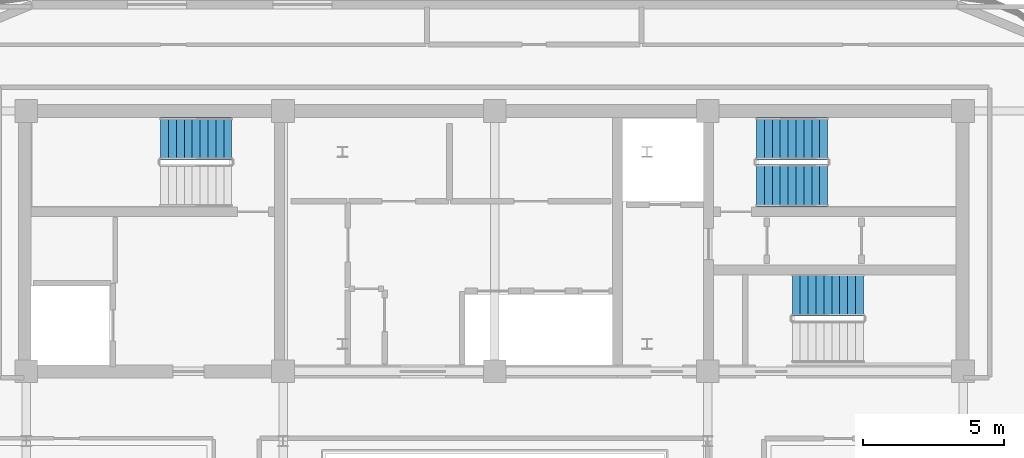
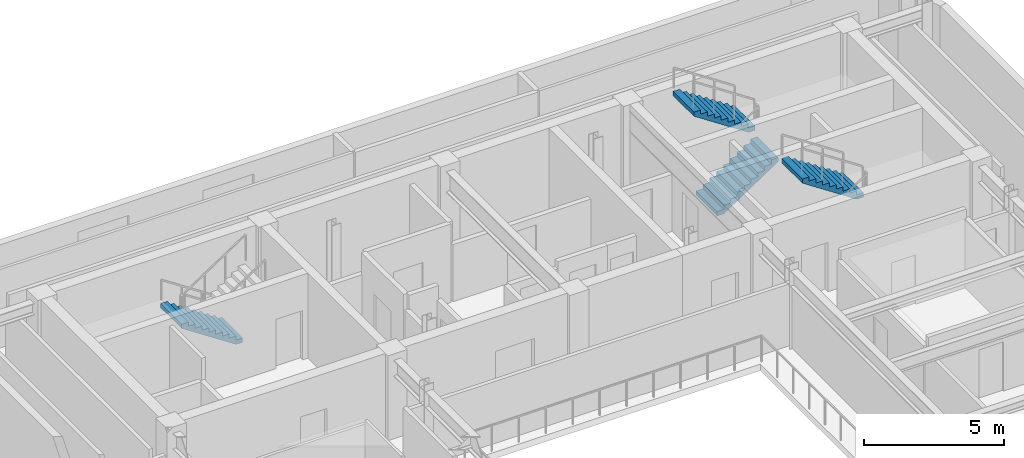
# One storey, part 9 of 12: 4 stair flights, 3 elements without a shape of their own.
"""IFC4 building model written with IfcOpenShell, lengths in metres."""

import ifcopenshell
import ifcopenshell.guid

model = None  # the IFC model being written
_history = None  # IfcOwnerHistory: only IFC2X3 demands one
_inside = {}  # id of a spatial element -> (the spatial element, [elements in it])
_under = {}  # id of a project, library or spatial element -> (it, [spatial elements below it])
_declared = {}  # id of a project -> (the project, [libraries it declares])
_typed = {}  # id of a type object -> (the type object, [elements of that type])
_made_of = {}  # id of a material, layer set ... -> (it, [elements and type objects made of it])


def new_model(schema):
    """Start an empty IFC model of exactly this schema.

    Asked for "IFC4X3", IfcOpenShell would pick the latest addendum, in which some entities
    have other attributes; the version numbers below select the first issue.
    IFC2X3 requires an IfcOwnerHistory on every rooted entity: one is made here for all.
    """
    global model, _history
    if schema == "IFC4X3":
        model = ifcopenshell.file(schema_version=(4, 3, 0, 0))
    else:
        model = ifcopenshell.file(schema=schema)
    _inside.clear()
    _under.clear()
    _declared.clear()
    _typed.clear()
    _made_of.clear()
    _history = None
    if model.schema == "IFC2X3":
        org = make("IfcOrganization", Name="unknown")
        user = make(
            "IfcPersonAndOrganization",
            ThePerson=make("IfcPerson", FamilyName="unknown"),
            TheOrganization=org,
        )
        app = make(
            "IfcApplication",
            ApplicationDeveloper=org,
            Version="unknown",
            ApplicationFullName="unknown",
            ApplicationIdentifier="unknown",
        )
        _history = make(
            "IfcOwnerHistory",
            OwningUser=user,
            OwningApplication=app,
            ChangeAction="ADDED",
            CreationDate=0,
        )
    return model


def make(cls, **values):
    """One entity of the class cls with the attributes given. An attribute that is None is left unset."""
    return model.create_entity(
        cls, **{name: value for name, value in values.items() if value is not None}
    )


def rooted(cls, **values):
    """An entity with a GlobalId (a new one), such as an element, a storey or a relation."""
    return make(cls, GlobalId=ifcopenshell.guid.new(), OwnerHistory=_history, **values)


def si_unit(unit_type, name, prefix=None):
    """IfcSIUnit, for example si_unit("LENGTHUNIT", "METRE", prefix="MILLI")."""
    return make("IfcSIUnit", UnitType=unit_type, Prefix=prefix, Name=name)


def assignment(units):
    """IfcUnitAssignment: the units of a project."""
    return None if units is None else make("IfcUnitAssignment", Units=units)


def point(xyz):
    """IfcCartesianPoint."""
    return None if xyz is None else make("IfcCartesianPoint", Coordinates=xyz)


def direction(xyz):
    """IfcDirection."""
    return None if xyz is None else make("IfcDirection", DirectionRatios=xyz)


def frame(location, z_axis=None, x_axis=None):
    """IfcAxis2Placement3D, a coordinate frame: its origin and axes. An axis left out is left unset."""
    return make(
        "IfcAxis2Placement3D",
        Location=point(location),
        Axis=direction(z_axis),
        RefDirection=direction(x_axis),
    )


def origin():
    """The frame at (0, 0, 0) with its axes left unset."""
    return frame((0.0, 0.0, 0.0))


def place(relative_to, where):
    """IfcLocalPlacement: puts the frame where relative to a parent placement (None: the world)."""
    return make(
        "IfcLocalPlacement", PlacementRelTo=relative_to, RelativePlacement=where
    )


def context(
    kind, dimensions, precision=None, world=None, true_north=None, identifier=None
):
    """IfcGeometricRepresentationContext, for example the 3D "Model" context."""
    return make(
        "IfcGeometricRepresentationContext",
        ContextIdentifier=identifier,
        ContextType=kind,
        CoordinateSpaceDimension=dimensions,
        Precision=precision,
        WorldCoordinateSystem=world,
        TrueNorth=true_north,
    )


def subcontext(parent, identifier, kind, view, scale=None):
    """IfcGeometricRepresentationSubContext, for example "Body" below "Model"."""
    return make(
        "IfcGeometricRepresentationSubContext",
        ContextIdentifier=identifier,
        ContextType=kind,
        ParentContext=parent,
        TargetScale=scale,
        TargetView=view,
    )


def project(units=None, contexts=None):
    """IfcProject with its units and contexts."""
    return rooted(
        "IfcProject",
        Name="project",
        RepresentationContexts=contexts,
        UnitsInContext=assignment(units),
    )


def spatial(cls, under=None, at=None, **own):
    """A site, building, storey or space (cls), placed at a placement, below another one or the project."""
    s = rooted(cls, ObjectPlacement=at, **own)
    if under is not None:
        _under.setdefault(under.id(), (under, []))[1].append(s)
    return s


def polyline(points):
    """IfcPolyline through the points."""
    return make("IfcPolyline", Points=[point(p) for p in points])


def outline(outer, holes=None, kind="AREA"):
    """IfcArbitraryClosedProfileDef: a profile drawn as a closed curve; with holes, ...WithVoids."""
    if holes is None:
        return make("IfcArbitraryClosedProfileDef", ProfileType=kind, OuterCurve=outer)
    return make(
        "IfcArbitraryProfileDefWithVoids",
        ProfileType=kind,
        OuterCurve=outer,
        InnerCurves=holes,
    )


def extrude(swept, where, along, depth):
    """IfcExtrudedAreaSolid: the profile swept, set in the frame where, extruded along a direction by depth."""
    return make(
        "IfcExtrudedAreaSolid",
        SweptArea=swept,
        Position=where,
        ExtrudedDirection=direction(along),
        Depth=depth,
    )


def shape(context_of_items, identifier, shape_type, items):
    """IfcShapeRepresentation: the items that make up one representation, for example the "Body"."""
    return make(
        "IfcShapeRepresentation",
        ContextOfItems=context_of_items,
        RepresentationIdentifier=identifier,
        RepresentationType=shape_type,
        Items=items,
    )


def material(Name=None, Category=None):
    """IfcMaterial."""
    return make("IfcMaterial", Name=Name, Category=Category)


def layer(
    of_material, thickness, ventilated=None, Name=None, Category=None, Priority=None
):
    """IfcMaterialLayer: one layer of a wall or slab, of a material (None: an air gap)."""
    return make(
        "IfcMaterialLayer",
        Material=of_material,
        LayerThickness=thickness,
        IsVentilated=ventilated,
        Name=Name,
        Category=Category,
        Priority=Priority,
    )


def layer_set(layers, Name=None):
    """IfcMaterialLayerSet."""
    return make("IfcMaterialLayerSet", MaterialLayers=layers, LayerSetName=Name)


def made_of(thing, what):
    """Note that an element or type object is made of a material, layer set ...; save() writes the relation."""
    if what is not None:
        _made_of.setdefault(what.id(), (what, []))[1].append(thing)
    return thing


def type_object(cls, material=None, **own):
    """A type object (cls), such as IfcWallType, which elements share."""
    return made_of(rooted(cls, **own), material)


def element(
    cls,
    number,
    at=None,
    inside=None,
    cuts=None,
    type_object=None,
    material=None,
    context=None,
    identifier="Body",
    shape_type=None,
    held_by="IfcProductDefinitionShape",
    body=None,
    shapes=None,
    **own,
):
    """One element of the class cls, such as IfcWall. Its Tag is "e" and its number.

    at: its placement. inside: the storey or other place that contains it. cuts: it is an
    opening in that element (IfcRelVoidsElement). A single representation is given by context,
    identifier, shape_type and body (its items); several are given by shapes. held_by: the class
    of the entity that holds the representations. save() writes the other relations.
    """
    e = rooted(cls, Tag="e%d" % number, ObjectPlacement=at, **own)
    if body is not None:
        shapes = [shape(context, identifier, shape_type, body)]
    if shapes is not None:
        e.Representation = make(held_by, Representations=shapes)
    if inside is not None:
        _inside.setdefault(inside.id(), (inside, []))[1].append(e)
    if cuts is not None:
        rooted(
            "IfcRelVoidsElement", RelatingBuildingElement=cuts, RelatedOpeningElement=e
        )
    if type_object is not None:
        _typed.setdefault(type_object.id(), (type_object, []))[1].append(e)
    return made_of(e, material)


def aggregate(whole, parts):
    """IfcRelAggregates: a whole, such as a stair, and the parts it consists of."""
    return rooted("IfcRelAggregates", RelatingObject=whole, RelatedObjects=parts)


def save(model, path):
    """Write the relations noted so far, then the file.

    IfcRelAggregates (storeys below a building ...), IfcRelContainedInSpatialStructure (elements
    in a storey), IfcRelDefinesByType, IfcRelAssociatesMaterial and IfcRelDeclares: one each for
    every whole, place, type object, material and project.
    """
    for whole, parts in _under.values():
        aggregate(whole, parts)
    for where, things in _inside.values():
        rooted(
            "IfcRelContainedInSpatialStructure",
            RelatedElements=things,
            RelatingStructure=where,
        )
    for kind, things in _typed.values():
        rooted("IfcRelDefinesByType", RelatedObjects=things, RelatingType=kind)
    for what, things in _made_of.values():
        rooted("IfcRelAssociatesMaterial", RelatedObjects=things, RelatingMaterial=what)
    for by, libraries in _declared.values():
        rooted("IfcRelDeclares", RelatingContext=by, RelatedDefinitions=libraries)
    model.write(path)


model = new_model("IFC4")

# Units and contexts
model_context = context("Model", 3, precision=1e-05, world=origin(), true_north=direction((0.0, 1.0)))
body_context = subcontext(model_context, "Body", "Model", "MODEL_VIEW")
ifc_project = project(units=[si_unit("LENGTHUNIT", "METRE"), si_unit("AREAUNIT", "SQUARE_METRE"), si_unit("VOLUMEUNIT", "CUBIC_METRE"), si_unit("PLANEANGLEUNIT", "RADIAN"), si_unit("MASSUNIT", "GRAM", prefix="KILO")], contexts=[model_context])

# Site, building, storey
site_placement = place(None, origin())
site = spatial("IfcSite", under=ifc_project, at=site_placement, CompositionType="ELEMENT")
building_placement = place(site_placement, origin())
building = spatial("IfcBuilding", under=site, at=building_placement, Name="Zarnavel Station Tower", CompositionType="ELEMENT")
storey_placement = place(building_placement, frame((0.0, 0.0, 273.199951171875)))
storey = spatial("IfcBuildingStorey", under=building, at=storey_placement, Name="L74", CompositionType="ELEMENT", Elevation=273.199951171875)

# Stair, stair flight
ifc_material_1 = material(Name="Concrete C45/55", Category="concrete")
stair_type = type_object("IfcStairType", Name="ST_CORE_150", PredefinedType="HALF_TURN_STAIR", material=ifc_material_1)
stair_1_placement = place(storey_placement, origin())
stair_1 = element("IfcStair", 1, at=stair_1_placement, inside=storey, type_object=stair_type, Name="L74 Core Exit Stair ST1", PredefinedType="HALF_TURN_STAIR")
ifc_material_2 = material(Name="Concrete C45/55", Category="concrete")
ifc_layer = layer(ifc_material_2, 0.179931640625)
ifc_layer_set = layer_set([ifc_layer], Name="ST_CORE_150_FLT")
stair_flight_type = type_object("IfcStairFlightType", Name="ST_CORE_150_FLT", PredefinedType="STRAIGHT", material=ifc_layer_set)
stair_flight_1_placement = place(storey_placement, frame((19.47998046875, 36.070068359375, 0.0), z_axis=(0.0, 0.0, 1.0), x_axis=(-1.0, 0.0, 0.0)))
stair_flight_1 = element("IfcStairFlight", 2, at=stair_flight_1_placement, type_object=stair_flight_type, Name="ST1 flight 1", NumberOfRisers=10, NumberOfTreads=9, PredefinedType="STRAIGHT", RiserHeight=0.185, TreadLength=0.28, context=body_context, shape_type="SweptSolid", body=[
    extrude(outline(polyline([(0.0, 0.0), (0.0, 0.18505859375), (0.280029296875, 0.18505859375), (0.280029296875, 0.3701171875), (0.56005859375, 0.3701171875), (0.56005859375, 0.554931640625), (0.840087890625, 0.554931640625), (0.840087890625, 0.739990234375), (1.1201171875, 0.739990234375), (1.1201171875, 0.925048828125), (1.39990234375, 0.925048828125), (1.39990234375, 1.110107421875), (1.679931640625, 1.110107421875), (1.679931640625, 1.294921875), (1.9599609375, 1.294921875), (1.9599609375, 1.47998046875), (2.239990234375, 1.47998046875), (2.239990234375, 1.6650390625), (2.52001953125, 1.6650390625), (2.52001953125, 1.85009765625), (2.52001953125, 1.4853515625), (0.27197265625, 0.0), (0.0, 0.0)])), frame((0.0, 0.75, 0.0), z_axis=(0.0, -1.0, 0.0), x_axis=(1.0, 0.0, 0.0)), (0.0, 0.0, 1.0), 1.5),
])
aggregate(stair_1, [stair_flight_1])

# Stair, stair flights
stair_2_placement = place(storey_placement, origin())
stair_2 = element("IfcStair", 3, at=stair_2_placement, inside=storey, type_object=stair_type, Name="L74 Core Exit Stair ST2", PredefinedType="HALF_TURN_STAIR")
stair_flight_2_placement = place(storey_placement, frame((38.080078125, 34.409912109375, 0.0), z_axis=(0.0, 0.0, 1.0), x_axis=(1.0, 0.0, 0.0)))
stair_flight_2 = element("IfcStairFlight", 4, at=stair_flight_2_placement, type_object=stair_flight_type, Name="ST2 flight 1", NumberOfRisers=10, NumberOfTreads=9, PredefinedType="STRAIGHT", RiserHeight=0.185, TreadLength=0.28, context=body_context, shape_type="SweptSolid", body=[
    extrude(outline(polyline([(0.0, 0.0), (0.0, 0.18505859375), (0.280029296875, 0.18505859375), (0.280029296875, 0.3701171875), (0.56005859375, 0.3701171875), (0.56005859375, 0.554931640625), (0.840087890625, 0.554931640625), (0.840087890625, 0.739990234375), (1.1201171875, 0.739990234375), (1.1201171875, 0.925048828125), (1.39990234375, 0.925048828125), (1.39990234375, 1.110107421875), (1.679931640625, 1.110107421875), (1.679931640625, 1.294921875), (1.9599609375, 1.294921875), (1.9599609375, 1.47998046875), (2.239990234375, 1.47998046875), (2.239990234375, 1.6650390625), (2.52001953125, 1.6650390625), (2.52001953125, 1.85009765625), (2.52001953125, 1.4853515625), (0.27197265625, 0.0), (0.0, 0.0)])), frame((0.0, 0.75, 0.0), z_axis=(0.0, -1.0, 0.0), x_axis=(1.0, 0.0, 0.0)), (0.0, 0.0, 1.0), 1.5),
])
stair_flight_3_placement = place(storey_placement, frame((40.60009765625, 36.070068359375, 1.85009765625), z_axis=(0.0, 0.0, 1.0), x_axis=(-1.0, 0.0, 0.0)))
stair_flight_3 = element("IfcStairFlight", 5, at=stair_flight_3_placement, type_object=stair_flight_type, Name="ST2 flight 2", NumberOfRisers=10, NumberOfTreads=9, PredefinedType="STRAIGHT", RiserHeight=0.185, TreadLength=0.28, context=body_context, shape_type="SweptSolid", body=[
    extrude(outline(polyline([(0.0, 0.0), (0.0, 0.18505859375), (0.280029296875, 0.18505859375), (0.280029296875, 0.3701171875), (0.56005859375, 0.3701171875), (0.56005859375, 0.554931640625), (0.840087890625, 0.554931640625), (0.840087890625, 0.739990234375), (1.1201171875, 0.739990234375), (1.1201171875, 0.925048828125), (1.39990234375, 0.925048828125), (1.39990234375, 1.110107421875), (1.679931640625, 1.110107421875), (1.679931640625, 1.294921875), (1.9599609375, 1.294921875), (1.9599609375, 1.47998046875), (2.239990234375, 1.47998046875), (2.239990234375, 1.6650390625), (2.52001953125, 1.6650390625), (2.52001953125, 1.85009765625), (2.52001953125, 1.4853515625), (0.27197265625, 0.0), (0.0, 0.0)])), frame((0.0, 0.75, 0.0), z_axis=(0.0, -1.0, 0.0), x_axis=(1.0, 0.0, 0.0)), (0.0, 0.0, 1.0), 1.5),
])
aggregate(stair_2, [stair_flight_2, stair_flight_3])

# Stair, stair flight
stair_3_placement = place(storey_placement, origin())
stair_3 = element("IfcStair", 6, at=stair_3_placement, inside=storey, type_object=stair_type, Name="L74 Core Exit Stair ST3", PredefinedType="HALF_TURN_STAIR")
stair_flight_4_placement = place(storey_placement, frame((41.8701171875, 30.530029296875, 1.85009765625), z_axis=(0.0, 0.0, 1.0), x_axis=(-1.0, 0.0, 0.0)))
stair_flight_4 = element("IfcStairFlight", 7, at=stair_flight_4_placement, type_object=stair_flight_type, Name="ST3 flight 2", NumberOfRisers=10, NumberOfTreads=9, PredefinedType="STRAIGHT", RiserHeight=0.185, TreadLength=0.28, context=body_context, shape_type="SweptSolid", body=[
    extrude(outline(polyline([(0.0, 0.0), (0.0, 0.18505859375), (0.280029296875, 0.18505859375), (0.280029296875, 0.3701171875), (0.56005859375, 0.3701171875), (0.56005859375, 0.554931640625), (0.840087890625, 0.554931640625), (0.840087890625, 0.739990234375), (1.1201171875, 0.739990234375), (1.1201171875, 0.925048828125), (1.39990234375, 0.925048828125), (1.39990234375, 1.110107421875), (1.679931640625, 1.110107421875), (1.679931640625, 1.294921875), (1.9599609375, 1.294921875), (1.9599609375, 1.47998046875), (2.239990234375, 1.47998046875), (2.239990234375, 1.6650390625), (2.52001953125, 1.6650390625), (2.52001953125, 1.85009765625), (2.52001953125, 1.4853515625), (0.27197265625, 0.0), (0.0, 0.0)])), frame((0.0, 0.75, 0.0), z_axis=(0.0, -1.0, 0.0), x_axis=(1.0, 0.0, 0.0)), (0.0, 0.0, 1.0), 1.5),
])
aggregate(stair_3, [stair_flight_4])

save(model, "model.ifc")
